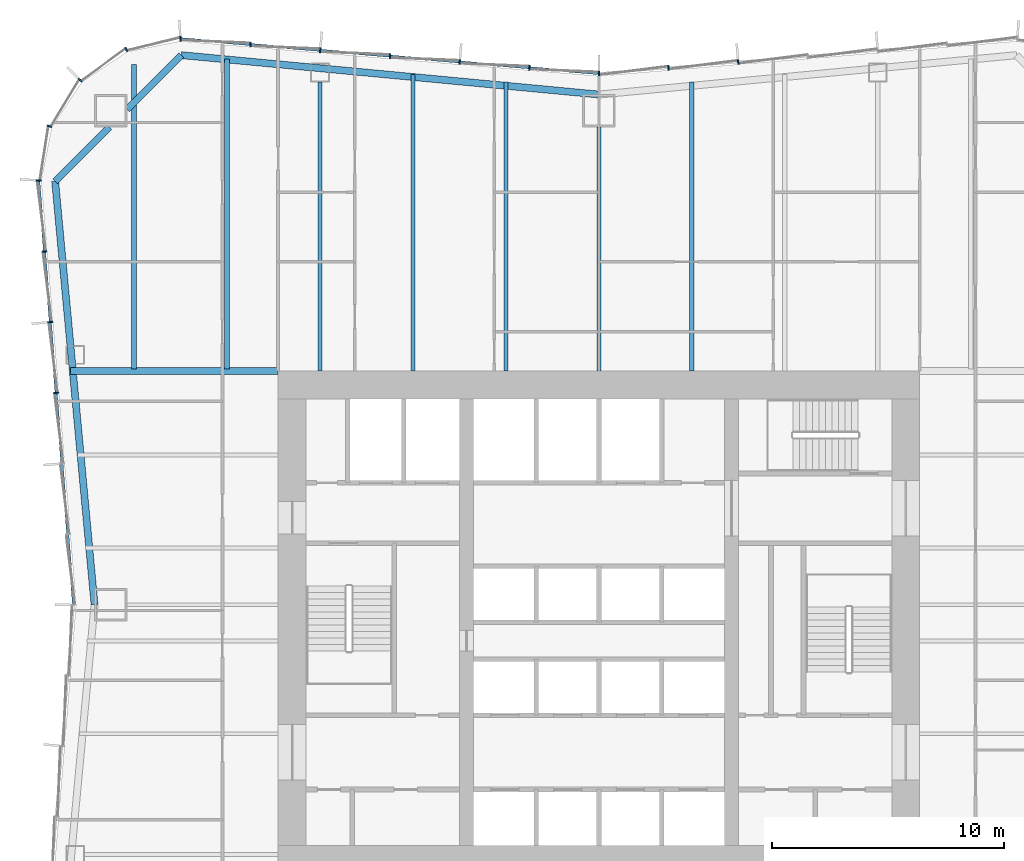
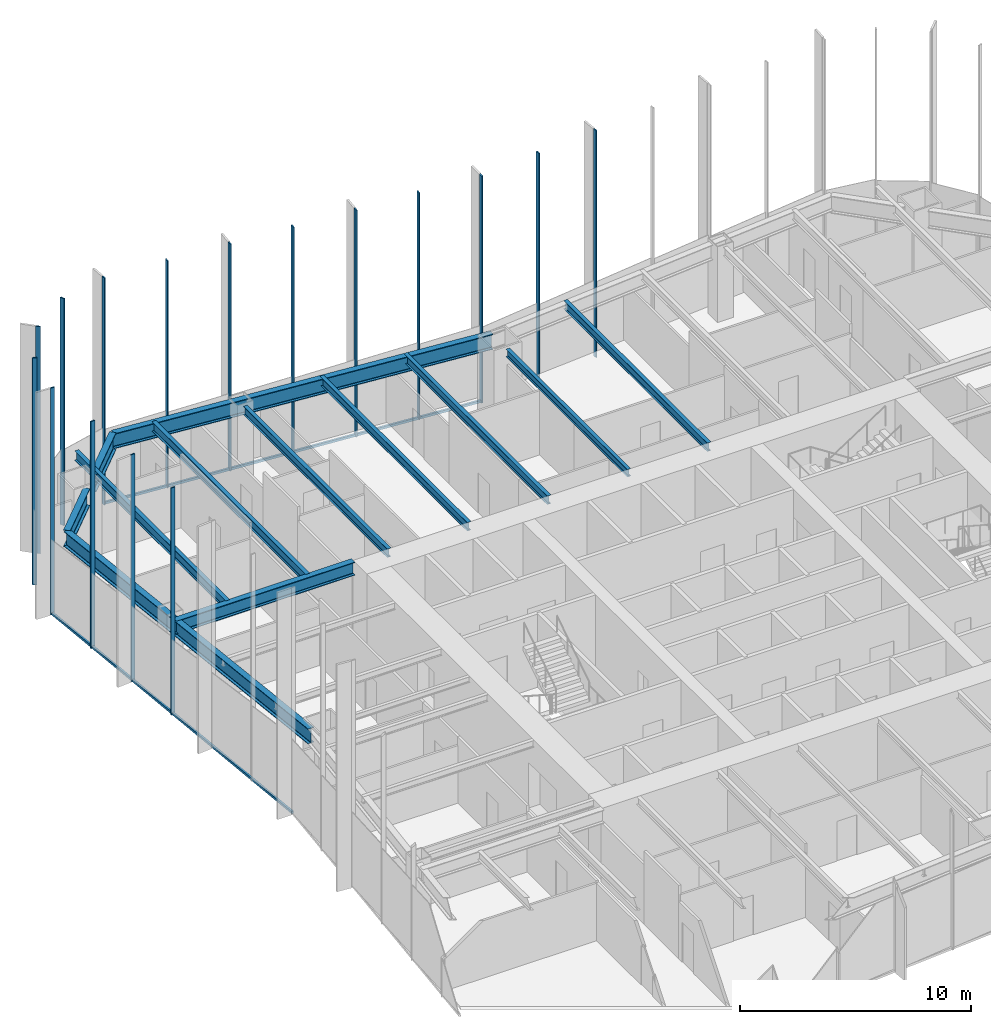
# One storey, part 5 of 13: 18 members, 12 beams, 3 elements without a shape of their own.
"""IFC4 building model written with IfcOpenShell, lengths in metres."""

from ifc_helpers import new_model, si_unit, direction, frame, origin, origin_2d, place, context, subcontext, project, spatial, rectangle, i_section, extrude, material, material_profile, profile_set, type_object, element, aggregate, save


model = new_model("IFC4")

# Units and contexts
model_context = context("Model", 3, precision=1e-05, world=origin(), true_north=direction((0.0, 1.0)))
body_context = subcontext(model_context, "Body", "Model", "MODEL_VIEW")
ifc_project = project(units=[si_unit("LENGTHUNIT", "METRE"), si_unit("AREAUNIT", "SQUARE_METRE"), si_unit("VOLUMEUNIT", "CUBIC_METRE"), si_unit("PLANEANGLEUNIT", "RADIAN"), si_unit("MASSUNIT", "GRAM", prefix="KILO")], contexts=[model_context])

# Site, building, storey
site_placement = place(None, origin())
site = spatial("IfcSite", under=ifc_project, at=site_placement, CompositionType="ELEMENT")
building_placement = place(site_placement, origin())
building = spatial("IfcBuilding", under=site, at=building_placement, Name="Verdant Reach Tower", CompositionType="ELEMENT")
storey_placement = place(building_placement, frame((0.0, 0.0, 70.0)))
storey = spatial("IfcBuildingStorey", under=building, at=storey_placement, Name="L15", CompositionType="ELEMENT", Elevation=70.0)

# Curtain wall, members
ifc_material_1 = material(Name="Anodised aluminium", Category="aluminium")
curtain_wall_type = type_object("IfcCurtainWallType", Name="EN-CW SYSTEM Z1", PredefinedType="NOTDEFINED", material=ifc_material_1)
curtain_wall_1_placement = place(storey_placement, origin())
curtain_wall_1 = element("IfcCurtainWall", 1, at=curtain_wall_1_placement, inside=storey, type_object=curtain_wall_type, Name="Curtain wall north, L15", PredefinedType="NOTDEFINED")
ifc_material_profile_1 = material_profile(ifc_material_1, rectangle(XDim=0.2060546875, YDim=0.06201171875, at=origin_2d()), Name="Mullion 62x206")
ifc_profile_set_1 = profile_set([ifc_material_profile_1], Name="Anodised aluminium")
member_type_1 = type_object("IfcMemberType", Name="EN-MULLION Z1", PredefinedType="MULLION", material=ifc_profile_set_1)
member_1_placement = place(storey_placement, frame((5.991455078125, 52.1025390625, -0.35009765625), z_axis=(0.0, 0.0, 1.0), x_axis=(-0.083045479859, 0.996545758244, 0.0)))
member_1 = element("IfcMember", 2, at=member_1_placement, type_object=member_type_1, Name="Mullion north face part 1 5, L15", PredefinedType="MULLION", context=body_context, shape_type="SweptSolid", body=[
    extrude(rectangle(XDim=0.2060546875, YDim=0.06201171875, at=origin_2d()), origin(), (0.0, 0.0, 1.0), 12.0),
])
member_2_placement = place(storey_placement, frame((2.991455078125, 51.8525390625, -0.35009765625), z_axis=(0.0, 0.0, 1.0), x_axis=(-0.083045479859, 0.996545758244, 0.0)))
member_2 = element("IfcMember", 3, at=member_2_placement, type_object=member_type_1, Name="Mullion north face part 1 6, L15", PredefinedType="MULLION", context=body_context, shape_type="SweptSolid", body=[
    extrude(rectangle(XDim=0.2060546875, YDim=0.06201171875, at=origin_2d()), origin(), (0.0, 0.0, 1.0), 12.0),
])
member_3_placement = place(storey_placement, frame((0.0, 51.60302734375, -0.35009765625), z_axis=(0.0, 0.0, 1.0), x_axis=(0.0, 1.0, 0.0)))
member_3 = element("IfcMember", 4, at=member_3_placement, type_object=member_type_1, Name="Mullion north face part 2 1, L15", PredefinedType="MULLION", context=body_context, shape_type="SweptSolid", body=[
    extrude(rectangle(XDim=0.2060546875, YDim=0.06201171875, at=origin_2d()), origin(), (0.0, 0.0, 1.0), 12.0),
])
member_4_placement = place(storey_placement, frame((-2.991455078125, 51.8525390625, -0.35009765625), z_axis=(0.0, 0.0, 1.0), x_axis=(0.083045479859, 0.996545758244, 0.0)))
member_4 = element("IfcMember", 5, at=member_4_placement, type_object=member_type_1, Name="Mullion north face part 2 2, L15", PredefinedType="MULLION", context=body_context, shape_type="SweptSolid", body=[
    extrude(rectangle(XDim=0.2060546875, YDim=0.06201171875, at=origin_2d()), origin(), (0.0, 0.0, 1.0), 12.0),
])
member_5_placement = place(storey_placement, frame((-5.991455078125, 52.1025390625, -0.35009765625), z_axis=(0.0, 0.0, 1.0), x_axis=(0.083045479859, 0.996545758244, 0.0)))
member_5 = element("IfcMember", 6, at=member_5_placement, type_object=member_type_1, Name="Mullion north face part 2 3, L15", PredefinedType="MULLION", context=body_context, shape_type="SweptSolid", body=[
    extrude(rectangle(XDim=0.2060546875, YDim=0.06201171875, at=origin_2d()), origin(), (0.0, 0.0, 1.0), 12.0),
])
member_6_placement = place(storey_placement, frame((-8.991455078125, 52.3525390625, -0.35009765625), z_axis=(0.0, 0.0, 1.0), x_axis=(0.083045479859, 0.996545758244, 0.0)))
member_6 = element("IfcMember", 7, at=member_6_placement, type_object=member_type_1, Name="Mullion north face part 2 4, L15", PredefinedType="MULLION", context=body_context, shape_type="SweptSolid", body=[
    extrude(rectangle(XDim=0.2060546875, YDim=0.06201171875, at=origin_2d()), origin(), (0.0, 0.0, 1.0), 12.0),
])
member_7_placement = place(storey_placement, frame((-11.991455078125, 52.6025390625, -0.35009765625), z_axis=(0.0, 0.0, 1.0), x_axis=(0.083045479859, 0.996545758244, 0.0)))
member_7 = element("IfcMember", 8, at=member_7_placement, type_object=member_type_1, Name="Mullion north face part 2 5, L15", PredefinedType="MULLION", context=body_context, shape_type="SweptSolid", body=[
    extrude(rectangle(XDim=0.2060546875, YDim=0.06201171875, at=origin_2d()), origin(), (0.0, 0.0, 1.0), 12.0),
])
member_8_placement = place(storey_placement, frame((-14.991455078125, 52.8525390625, -0.35009765625), z_axis=(0.0, 0.0, 1.0), x_axis=(0.083045479859, 0.996545758244, 0.0)))
member_8 = element("IfcMember", 9, at=member_8_placement, type_object=member_type_1, Name="Mullion north face part 2 6, L15", PredefinedType="MULLION", context=body_context, shape_type="SweptSolid", body=[
    extrude(rectangle(XDim=0.2060546875, YDim=0.06201171875, at=origin_2d()), origin(), (0.0, 0.0, 1.0), 12.0),
])

curtain_wall_2_placement = place(storey_placement, origin())
curtain_wall_2 = element("IfcCurtainWall", 10, at=curtain_wall_2_placement, inside=storey, type_object=curtain_wall_type, Name="Curtain wall north-west corner, L15", PredefinedType="NOTDEFINED")
member_9_placement = place(storey_placement, frame((-18.005859375, 53.102783203125, -0.35009765625), z_axis=(0.0, 0.0, 1.0), x_axis=(-0.056569187765, 0.998398681387, 0.0)))
member_9 = element("IfcMember", 11, at=member_9_placement, type_object=member_type_1, Name="Mullion north-west corner 1, L15", PredefinedType="MULLION", context=body_context, shape_type="SweptSolid", body=[
    extrude(rectangle(XDim=0.2060546875, YDim=0.06201171875, at=origin_2d()), origin(), (0.0, 0.0, 1.0), 12.0),
])
member_10_placement = place(storey_placement, frame((-20.33544921875, 52.638427734375, -0.35009765625), z_axis=(0.0, 0.0, 1.0), x_axis=(-0.382693853776, 0.923875215753, 0.0)))
member_10 = element("IfcMember", 12, at=member_10_placement, type_object=member_type_1, Name="Mullion north-west corner 2, L15", PredefinedType="MULLION", context=body_context, shape_type="SweptSolid", body=[
    extrude(rectangle(XDim=0.2060546875, YDim=0.06201171875, at=origin_2d()), origin(), (0.0, 0.0, 1.0), 12.0),
])
member_11_placement = place(storey_placement, frame((-22.3154296875, 51.3154296875, -0.35009765625), z_axis=(0.0, 0.0, 1.0), x_axis=(-0.707106781187, 0.707106781187, 0.0)))
member_11 = element("IfcMember", 13, at=member_11_placement, type_object=member_type_1, Name="Mullion north-west corner 3, L15", PredefinedType="MULLION", context=body_context, shape_type="SweptSolid", body=[
    extrude(rectangle(XDim=0.2060546875, YDim=0.06201171875, at=origin_2d()), origin(), (0.0, 0.0, 1.0), 12.0),
])
member_12_placement = place(storey_placement, frame((-23.638427734375, 49.33544921875, -0.35009765625), z_axis=(0.0, 0.0, 1.0), x_axis=(-0.923875215753, 0.382693853776, 0.0)))
member_12 = element("IfcMember", 14, at=member_12_placement, type_object=member_type_1, Name="Mullion north-west corner 4, L15", PredefinedType="MULLION", context=body_context, shape_type="SweptSolid", body=[
    extrude(rectangle(XDim=0.2060546875, YDim=0.06201171875, at=origin_2d()), origin(), (0.0, 0.0, 1.0), 12.0),
])
aggregate(curtain_wall_2, [member_9, member_10, member_11, member_12])

curtain_wall_3_placement = place(storey_placement, origin())
curtain_wall_3 = element("IfcCurtainWall", 15, at=curtain_wall_3_placement, inside=storey, type_object=curtain_wall_type, Name="Curtain wall west, L15", PredefinedType="NOTDEFINED")
member_13_placement = place(storey_placement, frame((-24.102783203125, 47.005859375, -0.35009765625), z_axis=(0.0, 0.0, 1.0), x_axis=(-0.998366452275, 0.057135164055, 0.0)))
member_13 = element("IfcMember", 16, at=member_13_placement, type_object=member_type_1, Name="Mullion west face part 1 1, L15", PredefinedType="MULLION", context=body_context, shape_type="SweptSolid", body=[
    extrude(rectangle(XDim=0.2060546875, YDim=0.06201171875, at=origin_2d()), origin(), (0.0, 0.0, 1.0), 12.0),
])
member_14_placement = place(storey_placement, frame((-23.8525390625, 43.949951171875, -0.35009765625), z_axis=(0.0, 0.0, 1.0), x_axis=(-0.996639273542, -0.081915556724, 0.0)))
member_14 = element("IfcMember", 17, at=member_14_placement, type_object=member_type_1, Name="Mullion west face part 1 2, L15", PredefinedType="MULLION", context=body_context, shape_type="SweptSolid", body=[
    extrude(rectangle(XDim=0.2060546875, YDim=0.06201171875, at=origin_2d()), origin(), (0.0, 0.0, 1.0), 12.0),
])
member_15_placement = place(storey_placement, frame((-23.6025390625, 40.908203125, -0.35009765625), z_axis=(0.0, 0.0, 1.0), x_axis=(-0.996639273542, -0.081915556724, 0.0)))
member_15 = element("IfcMember", 18, at=member_15_placement, type_object=member_type_1, Name="Mullion west face part 1 3, L15", PredefinedType="MULLION", context=body_context, shape_type="SweptSolid", body=[
    extrude(rectangle(XDim=0.2060546875, YDim=0.06201171875, at=origin_2d()), origin(), (0.0, 0.0, 1.0), 12.0),
])
member_16_placement = place(storey_placement, frame((-23.3525390625, 37.866455078125, -0.35009765625), z_axis=(0.0, 0.0, 1.0), x_axis=(-0.996639273542, -0.081915556724, 0.0)))
member_16 = element("IfcMember", 19, at=member_16_placement, type_object=member_type_1, Name="Mullion west face part 1 4, L15", PredefinedType="MULLION", context=body_context, shape_type="SweptSolid", body=[
    extrude(rectangle(XDim=0.2060546875, YDim=0.06201171875, at=origin_2d()), origin(), (0.0, 0.0, 1.0), 12.0),
])

# Member
ifc_material_profile_2 = material_profile(ifc_material_1, rectangle(XDim=0.10009765625, YDim=0.1220703125, at=origin_2d()), Name="Transom 122x100")
ifc_profile_set_2 = profile_set([ifc_material_profile_2], Name="Anodised aluminium")
member_type_2 = type_object("IfcMemberType", Name="EN-TRANSOM Z1", PredefinedType="USERDEFINED", material=ifc_profile_set_2)
member_17_placement = place(storey_placement, frame((-0.031005859375, 51.60546875, -0.2890625), z_axis=(-0.996547815143, 0.083020793384, 0.0), x_axis=(-0.083020793384, -0.996547815143, 0.0)))
member_17 = element("IfcMember", 20, at=member_17_placement, type_object=member_type_2, Name="Transom north face part 2 1.1, L15", ObjectType="TRANSOM", PredefinedType="USERDEFINED", context=body_context, shape_type="SweptSolid", body=[
    extrude(rectangle(XDim=0.10009765625, YDim=0.1220703125, at=origin_2d()), origin(), (0.0, 0.0, 1.0), 18.006103515625),
])

aggregate(curtain_wall_1, [member_1, member_2, member_3, member_4, member_5, member_6, member_7, member_8, member_17])

member_18_placement = place(storey_placement, frame((-24.100341796875, 46.97509765625, -0.2890625), z_axis=(0.081886623329, -0.996641651207, 0.0), x_axis=(0.996641651207, 0.081886623329, 0.0)))
member_18 = element("IfcMember", 21, at=member_18_placement, type_object=member_type_2, Name="Transom west face part 1 1.1, L15", ObjectType="TRANSOM", PredefinedType="USERDEFINED", context=body_context, shape_type="SweptSolid", body=[
    extrude(rectangle(XDim=0.10009765625, YDim=0.1220703125, at=origin_2d()), origin(), (0.0, 0.0, 1.0), 18.25537109375),
])

aggregate(curtain_wall_3, [member_13, member_14, member_15, member_16, member_18])

# Beams
ifc_material_2 = material(Name="Steel S355", Category="steel")
ifc_material_profile_3 = material_profile(ifc_material_2, i_section(OverallWidth=0.300048828125, OverallDepth=0.699951171875, WebThickness=0.01708984375, FlangeThickness=0.031982421875, FilletRadius=0.027099609375, at=origin_2d()), Name="HEB 700")
ifc_profile_set_3 = profile_set([ifc_material_profile_3], Name="Steel S355")
beam_type_1 = type_object("IfcBeamType", Name="ST-BEAM-HEB700", PredefinedType="BEAM", material=ifc_profile_set_3)
beam_1_placement = place(storey_placement, frame((-13.800048828125, 38.800048828125, 3.52001953125), z_axis=(-1.0, 0.0, 0.0), x_axis=(0.0, -1.0, 0.0)))
element("IfcBeam", 22, at=beam_1_placement, inside=storey, type_object=beam_type_1, Name="Trimmer beam, L15", PredefinedType="BEAM", context=body_context, shape_type="SweptSolid", body=[
    extrude(i_section(OverallWidth=0.300048828125, OverallDepth=0.699951171875, WebThickness=0.01708984375, FlangeThickness=0.031982421875, FilletRadius=0.027099609375, at=origin_2d()), origin(), (0.0, 0.0, 1.0), 8.924072265625),
])
ifc_material_profile_4 = material_profile(ifc_material_2, i_section(OverallWidth=0.179931640625, OverallDepth=0.39990234375, WebThickness=0.008544921875, FlangeThickness=0.013427734375, FilletRadius=0.02099609375, at=origin_2d()), Name="IPE 400")
ifc_profile_set_4 = profile_set([ifc_material_profile_4], Name="Steel S355")
beam_type_2 = type_object("IfcBeamType", Name="ST-JOIST-IPE400", PredefinedType="JOIST", material=ifc_profile_set_4)
beam_2_placement = place(storey_placement, frame((0.0, 38.800048828125, 3.669921875), z_axis=(0.0, 1.0, 0.0), x_axis=(-1.0, 0.0, 0.0)))
element("IfcBeam", 23, at=beam_2_placement, inside=storey, type_object=beam_type_2, Name="Floor joist, L15", PredefinedType="JOIST", context=body_context, shape_type="SweptSolid", body=[
    extrude(i_section(OverallWidth=0.179931640625, OverallDepth=0.39990234375, WebThickness=0.008544921875, FlangeThickness=0.013427734375, FilletRadius=0.02099609375, at=origin_2d()), origin(), (0.0, 0.0, 1.0), 10.5),
])
ifc_material_profile_5 = material_profile(ifc_material_2, i_section(OverallWidth=0.18994140625, OverallDepth=0.449951171875, WebThickness=0.009521484375, FlangeThickness=0.0146484375, FilletRadius=0.02099609375, at=origin_2d()), Name="IPE 450")
ifc_profile_set_5 = profile_set([ifc_material_profile_5], Name="Steel S355")
beam_type_3 = type_object("IfcBeamType", Name="ST-JOIST-IPE450", PredefinedType="JOIST", material=ifc_profile_set_5)
beam_3_placement = place(storey_placement, frame((-12.0, 38.800048828125, 3.64501953125), z_axis=(0.0, 1.0, 0.0), x_axis=(-1.0, 0.0, 0.0)))
element("IfcBeam", 24, at=beam_3_placement, inside=storey, type_object=beam_type_3, Name="Floor joist, L15", PredefinedType="JOIST", context=body_context, shape_type="SweptSolid", body=[
    extrude(i_section(OverallWidth=0.18994140625, OverallDepth=0.449951171875, WebThickness=0.009521484375, FlangeThickness=0.0146484375, FilletRadius=0.02099609375, at=origin_2d()), origin(), (0.0, 0.0, 1.0), 12.449951171875),
])
beam_4_placement = place(storey_placement, frame((-8.0, 38.800048828125, 3.64501953125), z_axis=(0.0, 1.0, 0.0), x_axis=(-1.0, 0.0, 0.0)))
element("IfcBeam", 25, at=beam_4_placement, inside=storey, type_object=beam_type_3, Name="Floor joist, L15", PredefinedType="JOIST", context=body_context, shape_type="SweptSolid", body=[
    extrude(i_section(OverallWidth=0.18994140625, OverallDepth=0.449951171875, WebThickness=0.009521484375, FlangeThickness=0.0146484375, FilletRadius=0.02099609375, at=origin_2d()), origin(), (0.0, 0.0, 1.0), 12.7646484375),
])
for number, where, z_axis, x_axis, name in (
    (26, (-4.0, 38.800048828125, 3.64501953125), (0.0, 1.0, 0.0), (-1.0, 0.0, 0.0), "Floor joist, L15"),
    (27, (4.0, 38.800048828125, 3.64501953125), (0.0, 1.0, 0.0), (-1.0, 0.0, 0.0), "Floor joist, L15"),
):
    element("IfcBeam", number, at=place(storey_placement, frame(where, z_axis=z_axis, x_axis=x_axis)), inside=storey, type_object=beam_type_3, Name=name, PredefinedType="JOIST", context=body_context, shape_type="SweptSolid", body=[
        extrude(i_section(OverallWidth=0.18994140625, OverallDepth=0.449951171875, WebThickness=0.009521484375, FlangeThickness=0.0146484375, FilletRadius=0.02099609375, at=origin_2d()), origin(), (0.0, 0.0, 1.0), 12.43115234375),
    ])
ifc_material_profile_6 = material_profile(ifc_material_2, i_section(OverallWidth=0.199951171875, OverallDepth=0.5, WebThickness=0.01025390625, FlangeThickness=0.01611328125, FilletRadius=0.02099609375, at=origin_2d()), Name="IPE 500")
ifc_profile_set_6 = profile_set([ifc_material_profile_6], Name="Steel S355")
beam_type_4 = type_object("IfcBeamType", Name="ST-JOIST-IPE500", PredefinedType="JOIST", material=ifc_profile_set_6)
beam_5_placement = place(storey_placement, frame((-20.0, 38.89990234375, 3.6201171875), z_axis=(0.0, 1.0, 0.0), x_axis=(-1.0, 0.0, 0.0)))
element("IfcBeam", 28, at=beam_5_placement, inside=storey, type_object=beam_type_4, Name="Floor joist, L15", PredefinedType="JOIST", context=body_context, shape_type="SweptSolid", body=[
    extrude(i_section(OverallWidth=0.199951171875, OverallDepth=0.5, WebThickness=0.01025390625, FlangeThickness=0.01611328125, FilletRadius=0.02099609375, at=origin_2d()), origin(), (0.0, 0.0, 1.0), 13.090576171875),
])
beam_6_placement = place(storey_placement, frame((-16.0, 38.89990234375, 3.6201171875), z_axis=(0.0, 1.0, 0.0), x_axis=(-1.0, 0.0, 0.0)))
element("IfcBeam", 29, at=beam_6_placement, inside=storey, type_object=beam_type_4, Name="Floor joist, L15", PredefinedType="JOIST", context=body_context, shape_type="SweptSolid", body=[
    extrude(i_section(OverallWidth=0.199951171875, OverallDepth=0.5, WebThickness=0.01025390625, FlangeThickness=0.01611328125, FilletRadius=0.02099609375, at=origin_2d()), origin(), (0.0, 0.0, 1.0), 13.331298828125),
])
ifc_material_profile_7 = material_profile(ifc_material_2, i_section(OverallWidth=0.300048828125, OverallDepth=0.800048828125, WebThickness=0.017578125, FlangeThickness=0.032958984375, FilletRadius=0.030029296875, at=origin_2d()), Name="HEB 800")
ifc_profile_set_7 = profile_set([ifc_material_profile_7], Name="Steel S355")
beam_type_5 = type_object("IfcBeamType", Name="ST-SPANDREL-HEB800", PredefinedType="SPANDREL", material=ifc_profile_set_7)
beam_7_placement = place(storey_placement, frame((-21.699951171875, 28.75, 3.469970703125), z_axis=(-0.092656907618, 0.995698095544, 0.0), x_axis=(-0.995698095544, -0.092656907618, 0.0)))
element("IfcBeam", 30, at=beam_7_placement, inside=storey, type_object=beam_type_5, Name="Edge beam, L15", PredefinedType="SPANDREL", context=body_context, shape_type="SweptSolid", body=[
    extrude(i_section(OverallWidth=0.300048828125, OverallDepth=0.800048828125, WebThickness=0.017578125, FlangeThickness=0.032958984375, FilletRadius=0.030029296875, at=origin_2d()), origin(), (0.0, 0.0, 1.0), 18.2939453125),
])
beam_8_placement = place(storey_placement, frame((-17.9658203125, 52.39501953125, 3.469970703125), z_axis=(0.995578571765, -0.093932462137, 0.0), x_axis=(0.093932462137, 0.995578571765, 0.0)))
element("IfcBeam", 31, at=beam_8_placement, inside=storey, type_object=beam_type_5, Name="Edge beam, L15", PredefinedType="SPANDREL", context=body_context, shape_type="SweptSolid", body=[
    extrude(i_section(OverallWidth=0.300048828125, OverallDepth=0.800048828125, WebThickness=0.017578125, FlangeThickness=0.032958984375, FilletRadius=0.030029296875, at=origin_2d()), origin(), (0.0, 0.0, 1.0), 18.045654296875),
])
ifc_material_profile_8 = material_profile(ifc_material_2, i_section(OverallWidth=0.302001953125, OverallDepth=0.909912109375, WebThickness=0.02099609375, FlangeThickness=0.0400390625, FilletRadius=0.030029296875, at=origin_2d()), Name="HEM 900")
ifc_profile_set_8 = profile_set([ifc_material_profile_8], Name="Steel S355")
beam_type_6 = type_object("IfcBeamType", Name="ST-SPANDREL-HEM900", PredefinedType="SPANDREL", material=ifc_profile_set_8)
beam_9_placement = place(storey_placement, frame((-23.39501953125, 46.96533203125, 3.4150390625), z_axis=(0.707069807316, 0.707143753123, 0.0), x_axis=(-0.707143753123, 0.707069807316, 0.0)))
element("IfcBeam", 32, at=beam_9_placement, inside=storey, type_object=beam_type_6, Name="Edge beam, L15", PredefinedType="SPANDREL", context=body_context, shape_type="SweptSolid", body=[
    extrude(i_section(OverallWidth=0.302001953125, OverallDepth=0.909912109375, WebThickness=0.02099609375, FlangeThickness=0.0400390625, FilletRadius=0.030029296875, at=origin_2d()), origin(), (0.0, 0.0, 1.0), 3.301513671875),
])
beam_10_placement = place(storey_placement, frame((-20.300048828125, 50.060791015625, 3.4150390625), z_axis=(0.707106781187, 0.707106781187, 0.0), x_axis=(-0.707106781187, 0.707106781187, 0.0)))
element("IfcBeam", 33, at=beam_10_placement, inside=storey, type_object=beam_type_6, Name="Edge beam, L15", PredefinedType="SPANDREL", context=body_context, shape_type="SweptSolid", body=[
    extrude(i_section(OverallWidth=0.302001953125, OverallDepth=0.909912109375, WebThickness=0.02099609375, FlangeThickness=0.0400390625, FilletRadius=0.030029296875, at=origin_2d()), origin(), (0.0, 0.0, 1.0), 3.301025390625),
])

save(model, "model.ifc")
